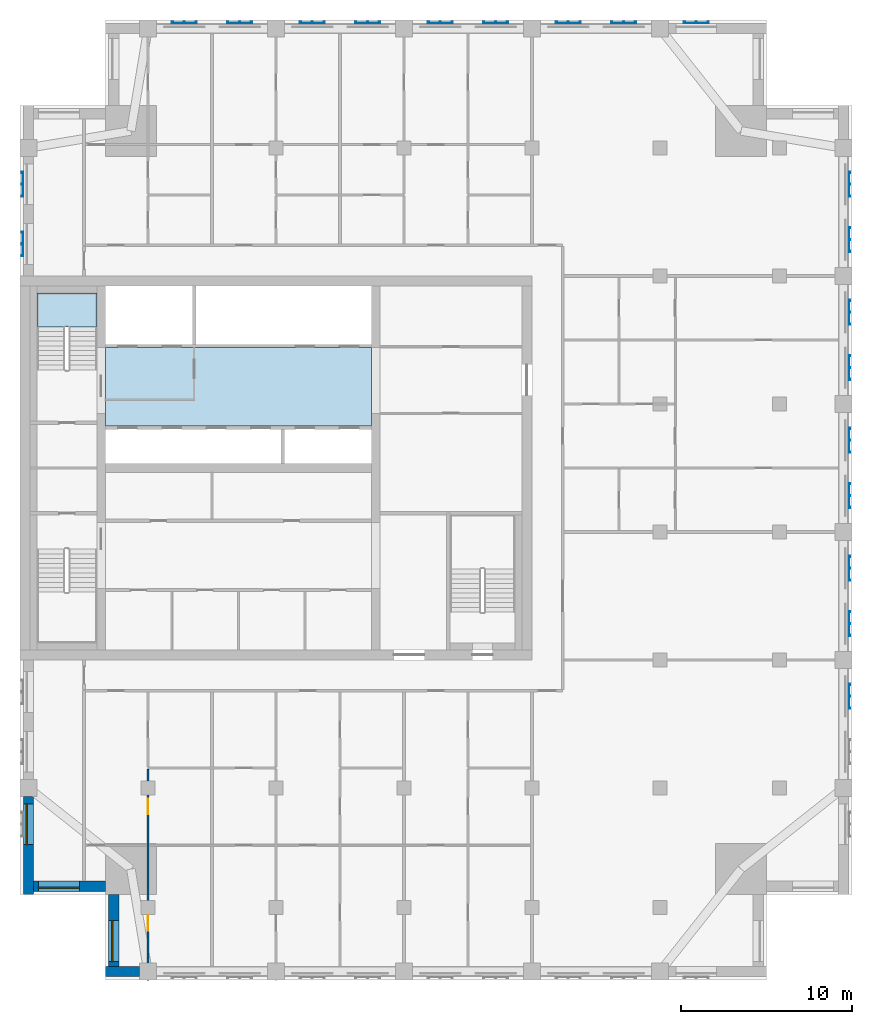
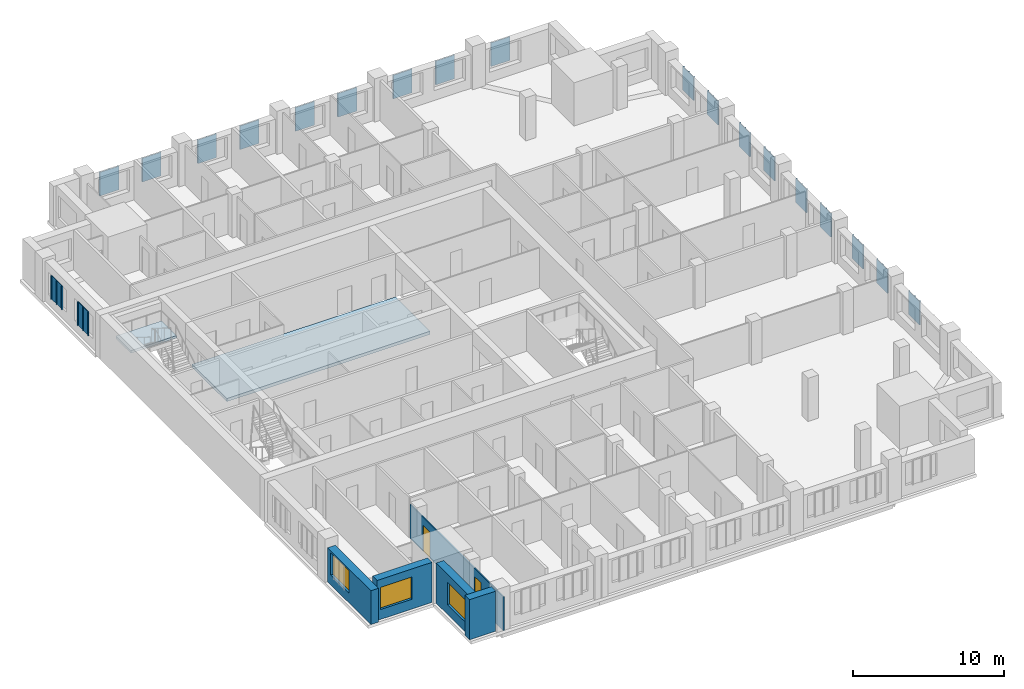
# One storey, part 2 of 11: 20 plates, 5 walls, 3 windows, 2 doors, 2 slabs, 5 openings, 1 element without a shape of its own.
"""IFC4 building model written with IfcOpenShell, lengths in metres."""

from ifc_helpers import new_model, si_unit, direction, frame, frame_2d, origin, place, context, subcontext, project, spatial, polyline, rectangle, outline, extrude, material, layer, layer_set, type_object, element, fill, aggregate, save


model = new_model("IFC4")

# Units and contexts
model_context = context("Model", 3, precision=1e-05, world=origin(), true_north=direction((0.0, 1.0)))
body_context = subcontext(model_context, "Body", "Model", "MODEL_VIEW")
ifc_project = project(units=[si_unit("LENGTHUNIT", "METRE"), si_unit("AREAUNIT", "SQUARE_METRE"), si_unit("VOLUMEUNIT", "CUBIC_METRE"), si_unit("PLANEANGLEUNIT", "RADIAN"), si_unit("MASSUNIT", "GRAM", prefix="KILO")], contexts=[model_context])

# Site, building, storey
site_placement = place(None, origin())
site = spatial("IfcSite", under=ifc_project, at=site_placement, CompositionType="ELEMENT")
building_placement = place(site_placement, origin())
building = spatial("IfcBuilding", under=site, at=building_placement, Name="Tamorin Gate", CompositionType="ELEMENT")
storey_placement = place(building_placement, frame((0.0, 0.0, 244.199951171875)))
storey = spatial("IfcBuildingStorey", under=building, at=storey_placement, Name="L61", CompositionType="ELEMENT", Elevation=244.199951171875)

# Slab
ifc_material_1 = material(Name="Concrete C40/50", Category="concrete")
ifc_layer_1 = layer(ifc_material_1, 0.25)
ifc_layer_set_1 = layer_set([ifc_layer_1], Name="Core floor slab 250 C40/50")
slab_type_1 = type_object("IfcSlabType", Name="Core floor slab 250 C40/50", PredefinedType="FLOOR", material=ifc_layer_set_1)
slab_1_placement = place(storey_placement, frame((0.0, 0.0, -0.25)))
element("IfcSlab", 1, at=slab_1_placement, inside=storey, type_object=slab_type_1, Name="Core floor L61", PredefinedType="FLOOR", context=body_context, shape_type="SweptSolid", body=[
    extrude(outline(polyline([(50.60009765625, 73.699951171875), (35.0, 73.699951171875), (35.0, 78.300048828125), (50.60009765625, 78.300048828125), (50.60009765625, 73.699951171875)])), origin(), (0.0, 0.0, 1.0), 0.25),
])

# Stair, slab
stair_type = type_object("IfcStairType", Name="Exit stair", PredefinedType="HALF_TURN_STAIR", material=ifc_material_1)
stair_placement = place(storey_placement, origin())
stair = element("IfcStair", 2, at=stair_placement, inside=storey, type_object=stair_type, Name="L61 stair ST2", PredefinedType="HALF_TURN_STAIR")
ifc_layer_2 = layer(ifc_material_1, 0.199951171875)
ifc_layer_set_2 = layer_set([ifc_layer_2], Name="Exit stair landing 200")
slab_type_2 = type_object("IfcSlabType", Name="Exit stair landing 200", PredefinedType="LANDING", material=ifc_layer_set_2)
slab_2_placement = place(storey_placement, frame((0.0, 0.0, 1.550048828125)))
slab_2 = element("IfcSlab", 3, at=slab_2_placement, type_object=slab_type_2, Name="ST2 landing 1", PredefinedType="LANDING", context=body_context, shape_type="SweptSolid", body=[
    extrude(outline(polyline([(34.5, 79.52001953125), (34.5, 81.5), (31.0, 81.5), (31.0, 79.52001953125), (34.5, 79.52001953125)])), origin(), (0.0, 0.0, 1.0), 0.199951171875),
])
aggregate(stair, [slab_2])

# Plates
ifc_material_2 = material(Name="Perforated pale aluminium sheet", Category="aluminium")
ifc_layer_3 = layer(ifc_material_2, 0.0400390625)
ifc_layer_set_3 = layer_set([ifc_layer_3], Name="Pale metal solar screen 1440")
plate_type = type_object("IfcPlateType", Name="Pale metal solar screen 1440", PredefinedType="SHEET", material=ifc_layer_set_3)
plate_1_placement = place(storey_placement, frame((0.0, 0.0, 0.737548828125)))
element("IfcPlate", 4, at=plate_1_placement, inside=storey, type_object=plate_type, Name="Perforated solar screen", PredefinedType="SHEET", context=body_context, shape_type="SweptSolid", body=[
    extrude(outline(polyline([(78.590087890625, 57.155029296875), (78.550048828125, 57.155029296875), (78.550048828125, 57.215087890625), (78.550048828125, 57.844970703125), (78.550048828125, 57.905029296875), (78.550048828125, 58.534912109375), (78.550048828125, 58.594970703125), (78.590087890625, 58.594970703125), (78.64990234375, 58.594970703125), (78.64990234375, 58.534912109375), (78.590087890625, 58.534912109375), (78.590087890625, 57.905029296875), (78.64990234375, 57.905029296875), (78.64990234375, 57.844970703125), (78.590087890625, 57.844970703125), (78.590087890625, 57.215087890625), (78.64990234375, 57.215087890625), (78.64990234375, 57.155029296875), (78.590087890625, 57.155029296875)])), origin(), (0.0, 0.0, 1.0), 1.925048828125),
])
plate_2_placement = place(storey_placement, frame((0.0, 0.0, 0.737548828125)))
element("IfcPlate", 5, at=plate_2_placement, inside=storey, type_object=plate_type, Name="Perforated solar screen", PredefinedType="SHEET", context=body_context, shape_type="SweptSolid", body=[
    extrude(outline(polyline([(78.590087890625, 61.405029296875), (78.550048828125, 61.405029296875), (78.550048828125, 61.465087890625), (78.550048828125, 62.094970703125), (78.550048828125, 62.155029296875), (78.550048828125, 62.784912109375), (78.550048828125, 62.844970703125), (78.590087890625, 62.844970703125), (78.64990234375, 62.844970703125), (78.64990234375, 62.784912109375), (78.590087890625, 62.784912109375), (78.590087890625, 62.155029296875), (78.64990234375, 62.155029296875), (78.64990234375, 62.094970703125), (78.590087890625, 62.094970703125), (78.590087890625, 61.465087890625), (78.64990234375, 61.465087890625), (78.64990234375, 61.405029296875), (78.590087890625, 61.405029296875)])), origin(), (0.0, 0.0, 1.0), 1.925048828125),
])
plate_3_placement = place(storey_placement, frame((0.0, 0.0, 0.737548828125)))
element("IfcPlate", 6, at=plate_3_placement, inside=storey, type_object=plate_type, Name="Perforated solar screen", PredefinedType="SHEET", context=body_context, shape_type="SweptSolid", body=[
    extrude(outline(polyline([(78.590087890625, 64.655029296875), (78.550048828125, 64.655029296875), (78.550048828125, 64.715087890625), (78.550048828125, 65.344970703125), (78.550048828125, 65.405029296875), (78.550048828125, 66.034912109375), (78.550048828125, 66.094970703125), (78.590087890625, 66.094970703125), (78.64990234375, 66.094970703125), (78.64990234375, 66.034912109375), (78.590087890625, 66.034912109375), (78.590087890625, 65.405029296875), (78.64990234375, 65.405029296875), (78.64990234375, 65.344970703125), (78.590087890625, 65.344970703125), (78.590087890625, 64.715087890625), (78.64990234375, 64.715087890625), (78.64990234375, 64.655029296875), (78.590087890625, 64.655029296875)])), origin(), (0.0, 0.0, 1.0), 1.925048828125),
])
plate_4_placement = place(storey_placement, frame((0.0, 0.0, 0.737548828125)))
element("IfcPlate", 7, at=plate_4_placement, inside=storey, type_object=plate_type, Name="Perforated solar screen", PredefinedType="SHEET", context=body_context, shape_type="SweptSolid", body=[
    extrude(outline(polyline([(78.590087890625, 68.905029296875), (78.550048828125, 68.905029296875), (78.550048828125, 68.965087890625), (78.550048828125, 69.594970703125), (78.550048828125, 69.655029296875), (78.550048828125, 70.284912109375), (78.550048828125, 70.344970703125), (78.590087890625, 70.344970703125), (78.64990234375, 70.344970703125), (78.64990234375, 70.284912109375), (78.590087890625, 70.284912109375), (78.590087890625, 69.655029296875), (78.64990234375, 69.655029296875), (78.64990234375, 69.594970703125), (78.590087890625, 69.594970703125), (78.590087890625, 68.965087890625), (78.64990234375, 68.965087890625), (78.64990234375, 68.905029296875), (78.590087890625, 68.905029296875)])), origin(), (0.0, 0.0, 1.0), 1.925048828125),
])
plate_5_placement = place(storey_placement, frame((0.0, 0.0, 0.737548828125)))
element("IfcPlate", 8, at=plate_5_placement, inside=storey, type_object=plate_type, Name="Perforated solar screen", PredefinedType="SHEET", context=body_context, shape_type="SweptSolid", body=[
    extrude(outline(polyline([(78.590087890625, 72.155029296875), (78.550048828125, 72.155029296875), (78.550048828125, 72.215087890625), (78.550048828125, 72.844970703125), (78.550048828125, 72.905029296875), (78.550048828125, 73.534912109375), (78.550048828125, 73.594970703125), (78.590087890625, 73.594970703125), (78.64990234375, 73.594970703125), (78.64990234375, 73.534912109375), (78.590087890625, 73.534912109375), (78.590087890625, 72.905029296875), (78.64990234375, 72.905029296875), (78.64990234375, 72.844970703125), (78.590087890625, 72.844970703125), (78.590087890625, 72.215087890625), (78.64990234375, 72.215087890625), (78.64990234375, 72.155029296875), (78.590087890625, 72.155029296875)])), origin(), (0.0, 0.0, 1.0), 1.925048828125),
])
plate_6_placement = place(storey_placement, frame((0.0, 0.0, 0.737548828125)))
element("IfcPlate", 9, at=plate_6_placement, inside=storey, type_object=plate_type, Name="Perforated solar screen", PredefinedType="SHEET", context=body_context, shape_type="SweptSolid", body=[
    extrude(outline(polyline([(78.590087890625, 76.405029296875), (78.550048828125, 76.405029296875), (78.550048828125, 76.465087890625), (78.550048828125, 77.094970703125), (78.550048828125, 77.155029296875), (78.550048828125, 77.784912109375), (78.550048828125, 77.844970703125), (78.590087890625, 77.844970703125), (78.64990234375, 77.844970703125), (78.64990234375, 77.784912109375), (78.590087890625, 77.784912109375), (78.590087890625, 77.155029296875), (78.64990234375, 77.155029296875), (78.64990234375, 77.094970703125), (78.590087890625, 77.094970703125), (78.590087890625, 76.465087890625), (78.64990234375, 76.465087890625), (78.64990234375, 76.405029296875), (78.590087890625, 76.405029296875)])), origin(), (0.0, 0.0, 1.0), 1.925048828125),
])
plate_7_placement = place(storey_placement, frame((0.0, 0.0, 0.737548828125)))
element("IfcPlate", 10, at=plate_7_placement, inside=storey, type_object=plate_type, Name="Perforated solar screen", PredefinedType="SHEET", context=body_context, shape_type="SweptSolid", body=[
    extrude(outline(polyline([(78.590087890625, 79.655029296875), (78.550048828125, 79.655029296875), (78.550048828125, 79.715087890625), (78.550048828125, 80.344970703125), (78.550048828125, 80.405029296875), (78.550048828125, 81.034912109375), (78.550048828125, 81.094970703125), (78.590087890625, 81.094970703125), (78.64990234375, 81.094970703125), (78.64990234375, 81.034912109375), (78.590087890625, 81.034912109375), (78.590087890625, 80.405029296875), (78.64990234375, 80.405029296875), (78.64990234375, 80.344970703125), (78.590087890625, 80.344970703125), (78.590087890625, 79.715087890625), (78.64990234375, 79.715087890625), (78.64990234375, 79.655029296875), (78.590087890625, 79.655029296875)])), origin(), (0.0, 0.0, 1.0), 1.925048828125),
])
plate_8_placement = place(storey_placement, frame((0.0, 0.0, 0.737548828125)))
element("IfcPlate", 11, at=plate_8_placement, inside=storey, type_object=plate_type, Name="Perforated solar screen", PredefinedType="SHEET", context=body_context, shape_type="SweptSolid", body=[
    extrude(outline(polyline([(78.590087890625, 83.905029296875), (78.550048828125, 83.905029296875), (78.550048828125, 83.965087890625), (78.550048828125, 84.594970703125), (78.550048828125, 84.655029296875), (78.550048828125, 85.284912109375), (78.550048828125, 85.344970703125), (78.590087890625, 85.344970703125), (78.64990234375, 85.344970703125), (78.64990234375, 85.284912109375), (78.590087890625, 85.284912109375), (78.590087890625, 84.655029296875), (78.64990234375, 84.655029296875), (78.64990234375, 84.594970703125), (78.590087890625, 84.594970703125), (78.590087890625, 83.965087890625), (78.64990234375, 83.965087890625), (78.64990234375, 83.905029296875), (78.590087890625, 83.905029296875)])), origin(), (0.0, 0.0, 1.0), 1.925048828125),
])
plate_9_placement = place(storey_placement, frame((0.0, 0.0, 0.737548828125)))
element("IfcPlate", 12, at=plate_9_placement, inside=storey, type_object=plate_type, Name="Perforated solar screen", PredefinedType="SHEET", context=body_context, shape_type="SweptSolid", body=[
    extrude(outline(polyline([(78.590087890625, 87.155029296875), (78.550048828125, 87.155029296875), (78.550048828125, 87.215087890625), (78.550048828125, 87.844970703125), (78.550048828125, 87.905029296875), (78.550048828125, 88.534912109375), (78.550048828125, 88.594970703125), (78.590087890625, 88.594970703125), (78.64990234375, 88.594970703125), (78.64990234375, 88.534912109375), (78.590087890625, 88.534912109375), (78.590087890625, 87.905029296875), (78.64990234375, 87.905029296875), (78.64990234375, 87.844970703125), (78.590087890625, 87.844970703125), (78.590087890625, 87.215087890625), (78.64990234375, 87.215087890625), (78.64990234375, 87.155029296875), (78.590087890625, 87.155029296875)])), origin(), (0.0, 0.0, 1.0), 1.925048828125),
])
plate_10_placement = place(storey_placement, frame((0.0, 0.0, 0.737548828125)))
element("IfcPlate", 13, at=plate_10_placement, inside=storey, type_object=plate_type, Name="Perforated solar screen", PredefinedType="SHEET", context=body_context, shape_type="SweptSolid", body=[
    extrude(outline(polyline([(70.344970703125, 97.340087890625), (70.344970703125, 97.300048828125), (70.284912109375, 97.300048828125), (69.655029296875, 97.300048828125), (69.594970703125, 97.300048828125), (68.965087890625, 97.300048828125), (68.905029296875, 97.300048828125), (68.905029296875, 97.300048828125), (68.905029296875, 97.340087890625), (68.905029296875, 97.340087890625), (68.905029296875, 97.39990234375), (68.965087890625, 97.39990234375), (68.965087890625, 97.340087890625), (69.594970703125, 97.340087890625), (69.594970703125, 97.39990234375), (69.655029296875, 97.39990234375), (69.655029296875, 97.340087890625), (70.284912109375, 97.340087890625), (70.284912109375, 97.39990234375), (70.344970703125, 97.39990234375), (70.344970703125, 97.340087890625)])), origin(), (0.0, 0.0, 1.0), 1.925048828125),
])
plate_11_placement = place(storey_placement, frame((0.0, 0.0, 0.737548828125)))
element("IfcPlate", 14, at=plate_11_placement, inside=storey, type_object=plate_type, Name="Perforated solar screen", PredefinedType="SHEET", context=body_context, shape_type="SweptSolid", body=[
    extrude(outline(polyline([(62.844970703125, 97.340087890625), (62.844970703125, 97.300048828125), (62.784912109375, 97.300048828125), (62.155029296875, 97.300048828125), (62.094970703125, 97.300048828125), (61.465087890625, 97.300048828125), (61.405029296875, 97.300048828125), (61.405029296875, 97.340087890625), (61.405029296875, 97.39990234375), (61.465087890625, 97.39990234375), (61.465087890625, 97.340087890625), (62.094970703125, 97.340087890625), (62.094970703125, 97.39990234375), (62.155029296875, 97.39990234375), (62.155029296875, 97.340087890625), (62.784912109375, 97.340087890625), (62.784912109375, 97.39990234375), (62.844970703125, 97.39990234375), (62.844970703125, 97.340087890625)])), origin(), (0.0, 0.0, 1.0), 1.925048828125),
])
plate_12_placement = place(storey_placement, frame((0.0, 0.0, 0.737548828125)))
element("IfcPlate", 15, at=plate_12_placement, inside=storey, type_object=plate_type, Name="Perforated solar screen", PredefinedType="SHEET", context=body_context, shape_type="SweptSolid", body=[
    extrude(outline(polyline([(66.094970703125, 97.340087890625), (66.094970703125, 97.300048828125), (66.034912109375, 97.300048828125), (65.405029296875, 97.300048828125), (65.344970703125, 97.300048828125), (64.715087890625, 97.300048828125), (64.655029296875, 97.300048828125), (64.655029296875, 97.340087890625), (64.655029296875, 97.39990234375), (64.715087890625, 97.39990234375), (64.715087890625, 97.340087890625), (65.344970703125, 97.340087890625), (65.344970703125, 97.39990234375), (65.405029296875, 97.39990234375), (65.405029296875, 97.340087890625), (66.034912109375, 97.340087890625), (66.034912109375, 97.39990234375), (66.094970703125, 97.39990234375), (66.094970703125, 97.340087890625)])), origin(), (0.0, 0.0, 1.0), 1.925048828125),
])
plate_13_placement = place(storey_placement, frame((0.0, 0.0, 0.737548828125)))
element("IfcPlate", 16, at=plate_13_placement, inside=storey, type_object=plate_type, Name="Perforated solar screen", PredefinedType="SHEET", context=body_context, shape_type="SweptSolid", body=[
    extrude(outline(polyline([(55.344970703125, 97.340087890625), (55.344970703125, 97.300048828125), (55.284912109375, 97.300048828125), (54.655029296875, 97.300048828125), (54.594970703125, 97.300048828125), (53.965087890625, 97.300048828125), (53.905029296875, 97.300048828125), (53.905029296875, 97.340087890625), (53.905029296875, 97.39990234375), (53.965087890625, 97.39990234375), (53.965087890625, 97.340087890625), (54.594970703125, 97.340087890625), (54.594970703125, 97.39990234375), (54.655029296875, 97.39990234375), (54.655029296875, 97.340087890625), (55.284912109375, 97.340087890625), (55.284912109375, 97.39990234375), (55.344970703125, 97.39990234375), (55.344970703125, 97.340087890625)])), origin(), (0.0, 0.0, 1.0), 1.925048828125),
])
plate_14_placement = place(storey_placement, frame((0.0, 0.0, 0.737548828125)))
element("IfcPlate", 17, at=plate_14_placement, inside=storey, type_object=plate_type, Name="Perforated solar screen", PredefinedType="SHEET", context=body_context, shape_type="SweptSolid", body=[
    extrude(outline(polyline([(58.594970703125, 97.340087890625), (58.594970703125, 97.300048828125), (58.534912109375, 97.300048828125), (57.905029296875, 97.300048828125), (57.844970703125, 97.300048828125), (57.215087890625, 97.300048828125), (57.155029296875, 97.300048828125), (57.155029296875, 97.340087890625), (57.155029296875, 97.39990234375), (57.215087890625, 97.39990234375), (57.215087890625, 97.340087890625), (57.844970703125, 97.340087890625), (57.844970703125, 97.39990234375), (57.905029296875, 97.39990234375), (57.905029296875, 97.340087890625), (58.534912109375, 97.340087890625), (58.534912109375, 97.39990234375), (58.594970703125, 97.39990234375), (58.594970703125, 97.340087890625)])), origin(), (0.0, 0.0, 1.0), 1.925048828125),
])
plate_15_placement = place(storey_placement, frame((0.0, 0.0, 0.737548828125)))
element("IfcPlate", 18, at=plate_15_placement, inside=storey, type_object=plate_type, Name="Perforated solar screen", PredefinedType="SHEET", context=body_context, shape_type="SweptSolid", body=[
    extrude(outline(polyline([(47.844970703125, 97.340087890625), (47.844970703125, 97.300048828125), (47.784912109375, 97.300048828125), (47.155029296875, 97.300048828125), (47.094970703125, 97.300048828125), (46.465087890625, 97.300048828125), (46.405029296875, 97.300048828125), (46.405029296875, 97.340087890625), (46.405029296875, 97.39990234375), (46.465087890625, 97.39990234375), (46.465087890625, 97.340087890625), (47.094970703125, 97.340087890625), (47.094970703125, 97.39990234375), (47.155029296875, 97.39990234375), (47.155029296875, 97.340087890625), (47.784912109375, 97.340087890625), (47.784912109375, 97.39990234375), (47.844970703125, 97.39990234375), (47.844970703125, 97.340087890625)])), origin(), (0.0, 0.0, 1.0), 1.925048828125),
])
plate_16_placement = place(storey_placement, frame((0.0, 0.0, 0.737548828125)))
element("IfcPlate", 19, at=plate_16_placement, inside=storey, type_object=plate_type, Name="Perforated solar screen", PredefinedType="SHEET", context=body_context, shape_type="SweptSolid", body=[
    extrude(outline(polyline([(51.094970703125, 97.340087890625), (51.094970703125, 97.300048828125), (51.034912109375, 97.300048828125), (50.405029296875, 97.300048828125), (50.344970703125, 97.300048828125), (49.715087890625, 97.300048828125), (49.655029296875, 97.300048828125), (49.655029296875, 97.340087890625), (49.655029296875, 97.39990234375), (49.715087890625, 97.39990234375), (49.715087890625, 97.340087890625), (50.344970703125, 97.340087890625), (50.344970703125, 97.39990234375), (50.405029296875, 97.39990234375), (50.405029296875, 97.340087890625), (51.034912109375, 97.340087890625), (51.034912109375, 97.39990234375), (51.094970703125, 97.39990234375), (51.094970703125, 97.340087890625)])), origin(), (0.0, 0.0, 1.0), 1.925048828125),
])
plate_17_placement = place(storey_placement, frame((0.0, 0.0, 0.737548828125)))
element("IfcPlate", 20, at=plate_17_placement, inside=storey, type_object=plate_type, Name="Perforated solar screen", PredefinedType="SHEET", context=body_context, shape_type="SweptSolid", body=[
    extrude(outline(polyline([(40.344970703125, 97.340087890625), (40.344970703125, 97.300048828125), (40.284912109375, 97.300048828125), (39.655029296875, 97.300048828125), (39.594970703125, 97.300048828125), (38.965087890625, 97.300048828125), (38.905029296875, 97.300048828125), (38.905029296875, 97.340087890625), (38.905029296875, 97.39990234375), (38.965087890625, 97.39990234375), (38.965087890625, 97.340087890625), (39.594970703125, 97.340087890625), (39.594970703125, 97.39990234375), (39.655029296875, 97.39990234375), (39.655029296875, 97.340087890625), (40.284912109375, 97.340087890625), (40.284912109375, 97.39990234375), (40.344970703125, 97.39990234375), (40.344970703125, 97.340087890625)])), origin(), (0.0, 0.0, 1.0), 1.925048828125),
])
plate_18_placement = place(storey_placement, frame((0.0, 0.0, 0.737548828125)))
element("IfcPlate", 21, at=plate_18_placement, inside=storey, type_object=plate_type, Name="Perforated solar screen", PredefinedType="SHEET", context=body_context, shape_type="SweptSolid", body=[
    extrude(outline(polyline([(43.594970703125, 97.340087890625), (43.594970703125, 97.300048828125), (43.534912109375, 97.300048828125), (42.905029296875, 97.300048828125), (42.844970703125, 97.300048828125), (42.215087890625, 97.300048828125), (42.155029296875, 97.300048828125), (42.155029296875, 97.340087890625), (42.155029296875, 97.39990234375), (42.215087890625, 97.39990234375), (42.215087890625, 97.340087890625), (42.844970703125, 97.340087890625), (42.844970703125, 97.39990234375), (42.905029296875, 97.39990234375), (42.905029296875, 97.340087890625), (43.534912109375, 97.340087890625), (43.534912109375, 97.39990234375), (43.594970703125, 97.39990234375), (43.594970703125, 97.340087890625)])), origin(), (0.0, 0.0, 1.0), 1.925048828125),
])
plate_19_placement = place(storey_placement, frame((0.0, 0.0, 0.737548828125)))
element("IfcPlate", 22, at=plate_19_placement, inside=storey, type_object=plate_type, Name="Perforated solar screen", PredefinedType="SHEET", context=body_context, shape_type="SweptSolid", body=[
    extrude(outline(polyline([(30.159912109375, 85.094970703125), (30.199951171875, 85.094970703125), (30.199951171875, 85.034912109375), (30.199951171875, 84.405029296875), (30.199951171875, 84.344970703125), (30.199951171875, 83.715087890625), (30.199951171875, 83.655029296875), (30.159912109375, 83.655029296875), (30.10009765625, 83.655029296875), (30.10009765625, 83.715087890625), (30.159912109375, 83.715087890625), (30.159912109375, 84.344970703125), (30.10009765625, 84.344970703125), (30.10009765625, 84.405029296875), (30.159912109375, 84.405029296875), (30.159912109375, 85.034912109375), (30.10009765625, 85.034912109375), (30.10009765625, 85.094970703125), (30.159912109375, 85.094970703125)])), origin(), (0.0, 0.0, 1.0), 1.925048828125),
])
plate_20_placement = place(storey_placement, frame((0.0, 0.0, 0.737548828125)))
element("IfcPlate", 23, at=plate_20_placement, inside=storey, type_object=plate_type, Name="Perforated solar screen", PredefinedType="SHEET", context=body_context, shape_type="SweptSolid", body=[
    extrude(outline(polyline([(30.159912109375, 88.594970703125), (30.199951171875, 88.594970703125), (30.199951171875, 88.534912109375), (30.199951171875, 87.905029296875), (30.199951171875, 87.844970703125), (30.199951171875, 87.215087890625), (30.199951171875, 87.155029296875), (30.199951171875, 87.155029296875), (30.159912109375, 87.155029296875), (30.159912109375, 87.155029296875), (30.10009765625, 87.155029296875), (30.10009765625, 87.215087890625), (30.159912109375, 87.215087890625), (30.159912109375, 87.844970703125), (30.10009765625, 87.844970703125), (30.10009765625, 87.905029296875), (30.159912109375, 87.905029296875), (30.159912109375, 88.534912109375), (30.10009765625, 88.534912109375), (30.10009765625, 88.594970703125), (30.159912109375, 88.594970703125)])), origin(), (0.0, 0.0, 1.0), 1.925048828125),
])

# Wall
ifc_material_3 = material(Name="Precast concrete C40/50", Category="concrete")
ifc_layer_4 = layer(ifc_material_3, 0.60009765625)
ifc_layer_set_4 = layer_set([ifc_layer_4], Name="Precast concrete C40/50")
wall_type_1 = type_object("IfcWallType", Name="Board-marked concrete facade panel 600", PredefinedType="SOLIDWALL", material=ifc_layer_set_4)
wall_1_placement = place(storey_placement, frame((35.0, 41.75, 0.0), z_axis=(0.0, 0.0, 1.0), x_axis=(1.0, 0.0, 0.0)))
element("IfcWall", 24, at=wall_1_placement, inside=storey, type_object=wall_type_1, Name="Facade panel", PredefinedType="SOLIDWALL", context=body_context, shape_type="SweptSolid", body=[
    extrude(rectangle(XDim=2.0, YDim=0.60009765625, at=frame_2d((1.0, 0.0))), origin(), (0.0, 0.0, 1.0), 3.25),
])

# Wall, opening, window
wall_2_placement = place(storey_placement, frame((30.5, 52.0, 0.0), z_axis=(0.0, 0.0, 1.0), x_axis=(0.0, -1.0, 0.0)))
wall_2 = element("IfcWall", 25, at=wall_2_placement, inside=storey, type_object=wall_type_1, Name="Facade panel", PredefinedType="SOLIDWALL", context=body_context, shape_type="SweptSolid", body=[
    extrude(rectangle(XDim=5.75, YDim=0.60009765625, at=frame_2d((2.875, 0.0))), origin(), (0.0, 0.0, 1.0), 2.75),
])
opening_1_placement = place(wall_2_placement, frame((0.425048828125, 0.0, 0.800048828125)))
opening_1 = element("IfcOpeningElement", 26, at=opening_1_placement, cuts=wall_2, Name="Opening WN1", PredefinedType="OPENING", context=body_context, shape_type="SweptSolid", body=[
    extrude(rectangle(XDim=2.39990234375, YDim=1.800048828125, at=frame_2d((1.199951171875, 0.89990234375))), frame((0.0, 0.31005859375, 0.0), z_axis=(0.0, -1.0, 0.0), x_axis=(1.0, 0.0, 0.0)), (0.0, 0.0, 1.0), 0.6201171875),
])
ifc_material_4 = material(Name="Clear glass in aluminium frame", Category="aluminium")
window_type = type_object("IfcWindowType", Name="Deep-set window 2400x1800", PartitioningType="SINGLE_PANEL", PredefinedType="WINDOW", material=ifc_material_4)
window_1_placement = place(opening_1_placement, origin())
window_1 = element("IfcWindow", 27, at=window_1_placement, inside=storey, type_object=window_type, Name="Deep-set window", OverallHeight=1.800048828125, OverallWidth=2.39990234375, PartitioningType="SINGLE_PANEL", PredefinedType="WINDOW", context=body_context, shape_type="SweptSolid", body=[
    extrude(rectangle(XDim=2.39990234375, YDim=1.800048828125, at=frame_2d((1.199951171875, 0.89990234375))), frame((0.0, -0.070068359375, 0.0), z_axis=(0.0, -1.0, 0.0), x_axis=(1.0, 0.0, 0.0)), (0.0, 0.0, 1.0), 0.06005859375),
])
fill(opening_1, window_1)

wall_3_placement = place(storey_placement, frame((30.800048828125, 46.75, 0.0), z_axis=(0.0, 0.0, 1.0), x_axis=(1.0, 0.0, 0.0)))
wall_3 = element("IfcWall", 28, at=wall_3_placement, inside=storey, type_object=wall_type_1, Name="Facade panel", PredefinedType="SOLIDWALL", context=body_context, shape_type="SweptSolid", body=[
    extrude(rectangle(XDim=4.199951171875, YDim=0.60009765625, at=frame_2d((2.10009765625, 0.0))), origin(), (0.0, 0.0, 1.0), 3.25),
])
opening_2_placement = place(wall_3_placement, frame((0.27490234375, 0.0, 0.800048828125)))
opening_2 = element("IfcOpeningElement", 29, at=opening_2_placement, cuts=wall_3, Name="Opening WN1", PredefinedType="OPENING", context=body_context, shape_type="SweptSolid", body=[
    extrude(rectangle(XDim=2.39990234375, YDim=1.800048828125, at=frame_2d((1.199951171875, 0.89990234375))), frame((0.0, 0.31005859375, 0.0), z_axis=(0.0, -1.0, 0.0), x_axis=(1.0, 0.0, 0.0)), (0.0, 0.0, 1.0), 0.6201171875),
])
window_2_placement = place(opening_2_placement, origin())
window_2 = element("IfcWindow", 30, at=window_2_placement, inside=storey, type_object=window_type, Name="Deep-set window", OverallHeight=1.800048828125, OverallWidth=2.39990234375, PartitioningType="SINGLE_PANEL", PredefinedType="WINDOW", context=body_context, shape_type="SweptSolid", body=[
    extrude(rectangle(XDim=2.39990234375, YDim=1.800048828125, at=frame_2d((1.199951171875, 0.89990234375))), frame((0.0, -0.070068359375, 0.0), z_axis=(0.0, -1.0, 0.0), x_axis=(1.0, 0.0, 0.0)), (0.0, 0.0, 1.0), 0.06005859375),
])
fill(opening_2, window_2)

wall_4_placement = place(storey_placement, frame((35.5, 46.25, 0.0), z_axis=(0.0, 0.0, 1.0), x_axis=(0.0, -1.0, 0.0)))
wall_4 = element("IfcWall", 31, at=wall_4_placement, inside=storey, type_object=wall_type_1, Name="Facade panel", PredefinedType="SOLIDWALL", context=body_context, shape_type="SweptSolid", body=[
    extrude(rectangle(XDim=4.199951171875, YDim=0.60009765625, at=frame_2d((2.10009765625, 0.0))), origin(), (0.0, 0.0, 1.0), 3.25),
])
opening_3_placement = place(wall_4_placement, frame((1.52490234375, 0.0, 0.800048828125)))
opening_3 = element("IfcOpeningElement", 32, at=opening_3_placement, cuts=wall_4, Name="Opening WN1", PredefinedType="OPENING", context=body_context, shape_type="SweptSolid", body=[
    extrude(rectangle(XDim=2.39990234375, YDim=1.800048828125, at=frame_2d((1.199951171875, 0.89990234375))), frame((0.0, 0.31005859375, 0.0), z_axis=(0.0, -1.0, 0.0), x_axis=(1.0, 0.0, 0.0)), (0.0, 0.0, 1.0), 0.6201171875),
])
window_3_placement = place(opening_3_placement, origin())
window_3 = element("IfcWindow", 33, at=window_3_placement, inside=storey, type_object=window_type, Name="Deep-set window", OverallHeight=1.800048828125, OverallWidth=2.39990234375, PartitioningType="SINGLE_PANEL", PredefinedType="WINDOW", context=body_context, shape_type="SweptSolid", body=[
    extrude(rectangle(XDim=2.39990234375, YDim=1.800048828125, at=frame_2d((1.199951171875, 0.89990234375))), frame((0.0, -0.070068359375, 0.0), z_axis=(0.0, -1.0, 0.0), x_axis=(1.0, 0.0, 0.0)), (0.0, 0.0, 1.0), 0.06005859375),
])
fill(opening_3, window_3)

# Wall, openings, doors
ifc_material_5 = material(Name="Gypsum board partition")
ifc_layer_5 = layer(ifc_material_5, 0.10009765625)
ifc_layer_set_5 = layer_set([ifc_layer_5], Name="Room partition 100")
wall_type_2 = type_object("IfcWallType", Name="Room partition 100", PredefinedType="PARTITIONING", material=ifc_layer_set_5)
wall_5_placement = place(storey_placement, frame((37.5, 41.25, 0.0), z_axis=(0.0, 0.0, 1.0), x_axis=(0.0, 1.0, 0.0)))
wall_5 = element("IfcWall", 34, at=wall_5_placement, inside=storey, type_object=wall_type_2, Name="Room partition 100", PredefinedType="PARTITIONING", context=body_context, shape_type="SweptSolid", body=[
    extrude(rectangle(XDim=12.362548828125, YDim=0.10009765625, at=frame_2d((6.18115234375, 0.0))), origin(), (0.0, 0.0, 1.0), 2.75),
])
opening_4_placement = place(wall_5_placement, frame((9.71240234375, 0.0, 0.0)))
opening_4 = element("IfcOpeningElement", 35, at=opening_4_placement, cuts=wall_5, Name="Opening DR7004", PredefinedType="OPENING", context=body_context, shape_type="SweptSolid", body=[
    extrude(rectangle(XDim=0.89990234375, YDim=2.10009765625, at=frame_2d((0.449951171875, 1.050048828125))), frame((0.0, 0.06005859375, 0.0), z_axis=(0.0, -1.0, 0.0), x_axis=(1.0, 0.0, 0.0)), (0.0, 0.0, 1.0), 0.1201171875),
])
opening_5_placement = place(wall_5_placement, frame((2.89990234375, 0.0, 0.0)))
opening_5 = element("IfcOpeningElement", 36, at=opening_5_placement, cuts=wall_5, Name="Opening DR7006", PredefinedType="OPENING", context=body_context, shape_type="SweptSolid", body=[
    extrude(rectangle(XDim=0.89990234375, YDim=2.10009765625, at=frame_2d((0.449951171875, 1.050048828125))), frame((0.0, 0.06005859375, 0.0), z_axis=(0.0, -1.0, 0.0), x_axis=(1.0, 0.0, 0.0)), (0.0, 0.0, 1.0), 0.1201171875),
])
ifc_material_6 = material(Name="Timber door leaf", Category="wood")
door_type = type_object("IfcDoorType", Name="Door 900 x 2100", OperationType="NOTDEFINED", PredefinedType="DOOR", material=ifc_material_6)
door_1_placement = place(opening_4_placement, origin())
door_1 = element("IfcDoor", 37, at=door_1_placement, inside=storey, type_object=door_type, Name="Door DR7004", OperationType="SINGLE_SWING_LEFT", OverallHeight=2.10009765625, OverallWidth=0.89990234375, PredefinedType="DOOR", context=body_context, shape_type="SweptSolid", body=[
    extrude(rectangle(XDim=0.89990234375, YDim=2.10009765625, at=frame_2d((0.449951171875, 1.050048828125))), frame((0.0, 0.02490234375, 0.0), z_axis=(0.0, -1.0, 0.0), x_axis=(1.0, 0.0, 0.0)), (0.0, 0.0, 1.0), 0.050048828125),
])
fill(opening_4, door_1)
door_2_placement = place(opening_5_placement, origin())
door_2 = element("IfcDoor", 38, at=door_2_placement, inside=storey, type_object=door_type, Name="Door DR7006", OperationType="SINGLE_SWING_LEFT", OverallHeight=2.10009765625, OverallWidth=0.89990234375, PredefinedType="DOOR", context=body_context, shape_type="SweptSolid", body=[
    extrude(rectangle(XDim=0.89990234375, YDim=2.10009765625, at=frame_2d((0.449951171875, 1.050048828125))), frame((0.0, 0.02490234375, 0.0), z_axis=(0.0, -1.0, 0.0), x_axis=(1.0, 0.0, 0.0)), (0.0, 0.0, 1.0), 0.050048828125),
])
fill(opening_5, door_2)

save(model, "model.ifc")
